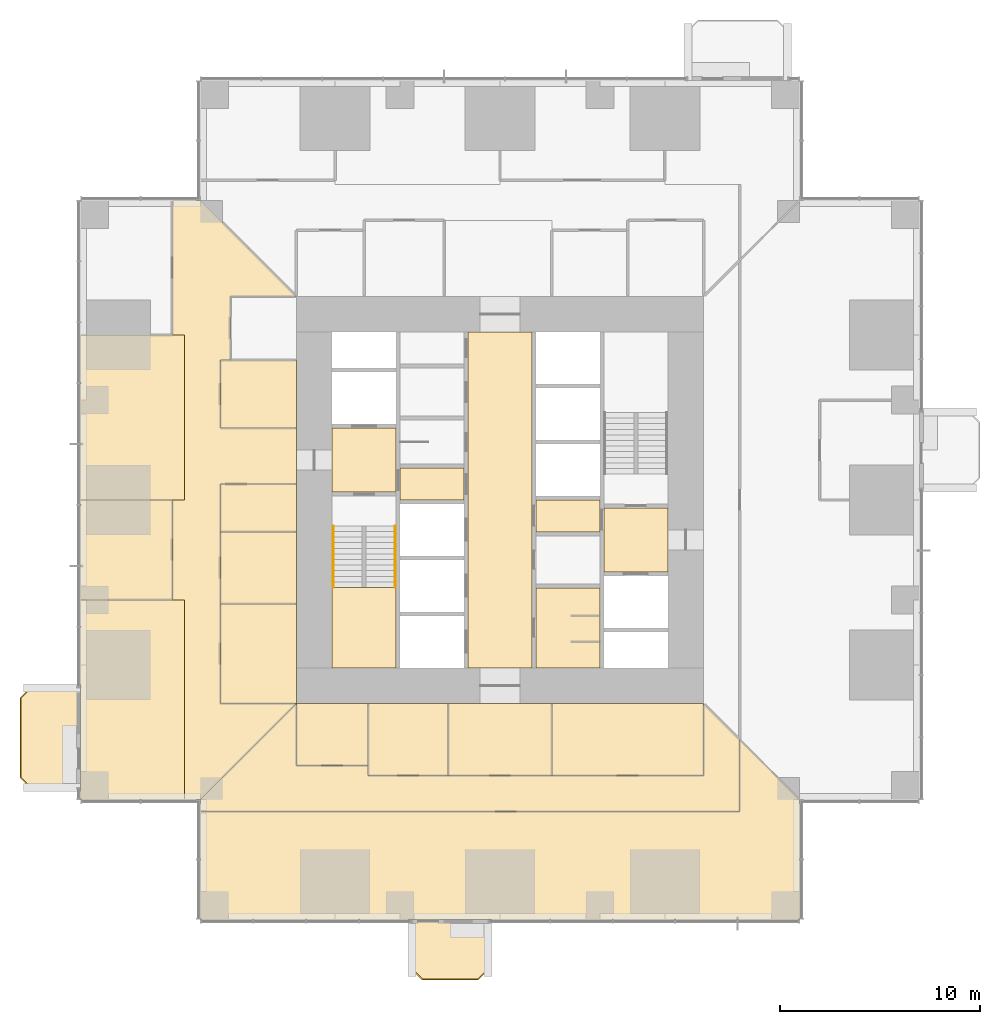
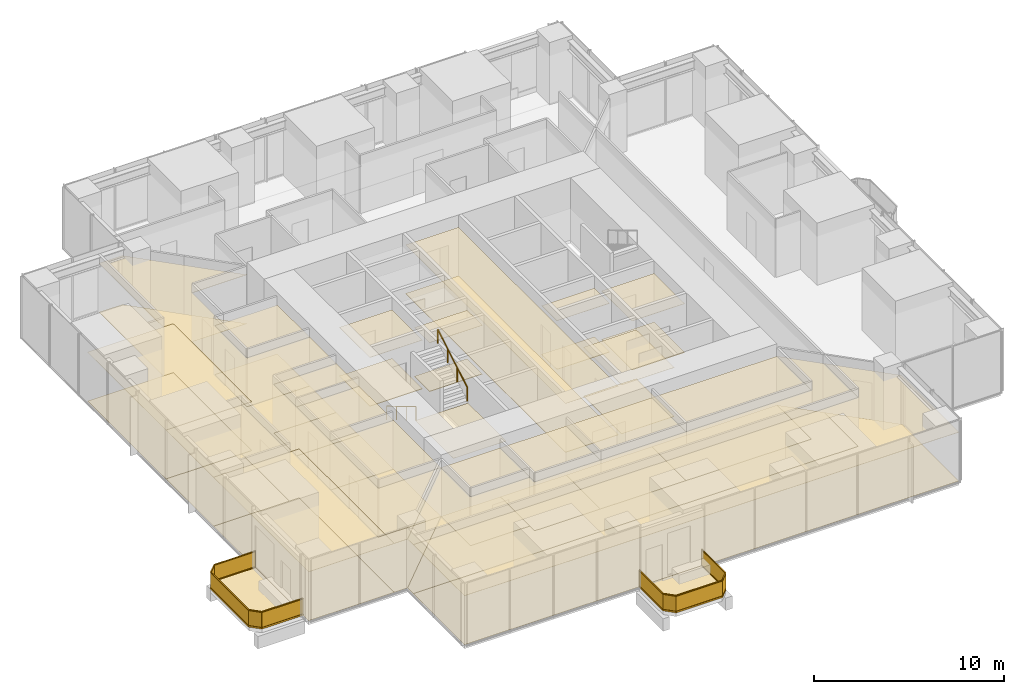
# One storey, part 15 of 17: 43 coverings, 4 railings.
"""IFC4 building model written with IfcOpenShell, lengths in metres."""

from ifc_helpers import new_model, si_unit, direction, frame, origin, origin_2d, place, context, subcontext, project, spatial, polyline, rectangle, circle, outline, extrude, material, layer, layer_set, type_object, element, save


model = new_model("IFC4")

# Units and contexts
model_context = context("Model", 3, precision=1e-05, world=origin(), true_north=direction((0.0, 1.0)))
body_context = subcontext(model_context, "Body", "Model", "MODEL_VIEW")
ifc_project = project(units=[si_unit("LENGTHUNIT", "METRE"), si_unit("AREAUNIT", "SQUARE_METRE"), si_unit("VOLUMEUNIT", "CUBIC_METRE"), si_unit("PLANEANGLEUNIT", "RADIAN"), si_unit("MASSUNIT", "GRAM", prefix="KILO")], contexts=[model_context])

# Site, building, storey
site_placement = place(None, origin())
site = spatial("IfcSite", under=ifc_project, at=site_placement, CompositionType="ELEMENT")
building_placement = place(site_placement, origin())
building = spatial("IfcBuilding", under=site, at=building_placement, Name="Svetlomir Tower", CompositionType="ELEMENT")
storey_placement = place(building_placement, frame((0.0, 0.0, 30.5)))
storey = spatial("IfcBuildingStorey", under=building, at=storey_placement, Name="L06", CompositionType="ELEMENT", Elevation=30.5)

# Railings
ifc_material_1 = material(Name="Bronze anodised aluminium and laminated glass", Category="aluminium")
railing_type_1 = type_object("IfcRailingType", Name="BALCONY GUARD GR1 1100", PredefinedType="GUARDRAIL", material=ifc_material_1)
railing_1_placement = place(storey_placement, frame((16.60009765625, 0.0, 0.0)))
element("IfcRailing", 1, at=railing_1_placement, inside=storey, type_object=railing_type_1, Name="Balcony guard S L06", PredefinedType="GUARDRAIL", context=body_context, shape_type="SweptSolid", body=[
    extrude(rectangle(XDim=0.06005859375, YDim=0.10009765625, at=origin_2d()), frame((0.0, 0.0, 0.050048828125), z_axis=(0.0, -1.0, 0.0), x_axis=(1.0, 0.0, 0.0)), (0.0, 0.0, 1.0), 2.5),
    extrude(rectangle(XDim=0.021484375, YDim=0.960205078125, at=origin_2d()), frame((0.0, 0.0, 0.580078125), z_axis=(0.0, -1.0, 0.0), x_axis=(1.0, 0.0, 0.0)), (0.0, 0.0, 1.0), 2.5),
    extrude(rectangle(XDim=0.06005859375, YDim=0.0400390625, at=origin_2d()), frame((0.0, 0.0, 1.080078125), z_axis=(0.0, -1.0, 0.0), x_axis=(1.0, 0.0, 0.0)), (0.0, 0.0, 1.0), 2.5),
    extrude(rectangle(XDim=0.06005859375, YDim=0.10009765625, at=origin_2d()), frame((0.0, -2.5, 0.050048828125), z_axis=(0.707106781187, -0.707106781187, 0.0), x_axis=(0.707106781187, 0.707106781187, 0.0)), (0.0, 0.0, 1.0), 0.70703125),
    extrude(rectangle(XDim=0.021484375, YDim=0.960205078125, at=origin_2d()), frame((0.0, -2.5, 0.580078125), z_axis=(0.707106781187, -0.707106781187, 0.0), x_axis=(0.707106781187, 0.707106781187, 0.0)), (0.0, 0.0, 1.0), 0.70703125),
    extrude(rectangle(XDim=0.06005859375, YDim=0.0400390625, at=origin_2d()), frame((0.0, -2.5, 1.080078125), z_axis=(0.707106781187, -0.707106781187, 0.0), x_axis=(0.707106781187, 0.707106781187, 0.0)), (0.0, 0.0, 1.0), 0.70703125),
    extrude(rectangle(XDim=0.06005859375, YDim=0.10009765625, at=origin_2d()), frame((0.5, -3.0, 0.050048828125), z_axis=(1.0, 0.0, 0.0), x_axis=(0.0, 1.0, 0.0)), (0.0, 0.0, 1.0), 2.7998046875),
    extrude(rectangle(XDim=0.021484375, YDim=0.960205078125, at=origin_2d()), frame((0.5, -3.0, 0.580078125), z_axis=(1.0, 0.0, 0.0), x_axis=(0.0, 1.0, 0.0)), (0.0, 0.0, 1.0), 2.7998046875),
    extrude(rectangle(XDim=0.06005859375, YDim=0.0400390625, at=origin_2d()), frame((0.5, -3.0, 1.080078125), z_axis=(1.0, 0.0, 0.0), x_axis=(0.0, 1.0, 0.0)), (0.0, 0.0, 1.0), 2.7998046875),
    extrude(rectangle(XDim=0.06005859375, YDim=0.10009765625, at=origin_2d()), frame((3.2998046875, -3.0, 0.050048828125), z_axis=(0.707106781187, 0.707106781187, 0.0), x_axis=(-0.707106781187, 0.707106781187, 0.0)), (0.0, 0.0, 1.0), 0.70703125),
    extrude(rectangle(XDim=0.021484375, YDim=0.960205078125, at=origin_2d()), frame((3.2998046875, -3.0, 0.580078125), z_axis=(0.707106781187, 0.707106781187, 0.0), x_axis=(-0.707106781187, 0.707106781187, 0.0)), (0.0, 0.0, 1.0), 0.70703125),
    extrude(rectangle(XDim=0.06005859375, YDim=0.0400390625, at=origin_2d()), frame((3.2998046875, -3.0, 1.080078125), z_axis=(0.707106781187, 0.707106781187, 0.0), x_axis=(-0.707106781187, 0.707106781187, 0.0)), (0.0, 0.0, 1.0), 0.70703125),
    extrude(rectangle(XDim=0.06005859375, YDim=0.10009765625, at=origin_2d()), frame((3.7998046875, -2.5, 0.050048828125), z_axis=(0.0, 1.0, 0.0), x_axis=(-1.0, 0.0, 0.0)), (0.0, 0.0, 1.0), 2.5),
    extrude(rectangle(XDim=0.021484375, YDim=0.960205078125, at=origin_2d()), frame((3.7998046875, -2.5, 0.580078125), z_axis=(0.0, 1.0, 0.0), x_axis=(-1.0, 0.0, 0.0)), (0.0, 0.0, 1.0), 2.5),
    extrude(rectangle(XDim=0.06005859375, YDim=0.0400390625, at=origin_2d()), frame((3.7998046875, -2.5, 1.080078125), z_axis=(0.0, 1.0, 0.0), x_axis=(-1.0, 0.0, 0.0)), (0.0, 0.0, 1.0), 2.5),
])
railing_2_placement = place(storey_placement, frame((0.0, 11.60009765625, 0.0)))
element("IfcRailing", 2, at=railing_2_placement, inside=storey, type_object=railing_type_1, Name="Balcony guard W L06", PredefinedType="GUARDRAIL", context=body_context, shape_type="SweptSolid", body=[
    extrude(rectangle(XDim=0.06005859375, YDim=0.10009765625, at=origin_2d()), frame((0.0, 0.0, 0.050048828125), z_axis=(-1.0, 0.0, 0.0), x_axis=(0.0, -1.0, 0.0)), (0.0, 0.0, 1.0), 2.5),
    extrude(rectangle(XDim=0.021484375, YDim=0.960205078125, at=origin_2d()), frame((0.0, 0.0, 0.580078125), z_axis=(-1.0, 0.0, 0.0), x_axis=(0.0, -1.0, 0.0)), (0.0, 0.0, 1.0), 2.5),
    extrude(rectangle(XDim=0.06005859375, YDim=0.0400390625, at=origin_2d()), frame((0.0, 0.0, 1.080078125), z_axis=(-1.0, 0.0, 0.0), x_axis=(0.0, -1.0, 0.0)), (0.0, 0.0, 1.0), 2.5),
    extrude(rectangle(XDim=0.06005859375, YDim=0.10009765625, at=origin_2d()), frame((-2.5, 0.0, 0.050048828125), z_axis=(-0.707106781187, -0.707106781187, 0.0), x_axis=(0.707106781187, -0.707106781187, 0.0)), (0.0, 0.0, 1.0), 0.70703125),
    extrude(rectangle(XDim=0.021484375, YDim=0.960205078125, at=origin_2d()), frame((-2.5, 0.0, 0.580078125), z_axis=(-0.707106781187, -0.707106781187, 0.0), x_axis=(0.707106781187, -0.707106781187, 0.0)), (0.0, 0.0, 1.0), 0.70703125),
    extrude(rectangle(XDim=0.06005859375, YDim=0.0400390625, at=origin_2d()), frame((-2.5, 0.0, 1.080078125), z_axis=(-0.707106781187, -0.707106781187, 0.0), x_axis=(0.707106781187, -0.707106781187, 0.0)), (0.0, 0.0, 1.0), 0.70703125),
    extrude(rectangle(XDim=0.06005859375, YDim=0.10009765625, at=origin_2d()), frame((-3.0, -0.5, 0.050048828125), z_axis=(0.0, -1.0, 0.0), x_axis=(1.0, 0.0, 0.0)), (0.0, 0.0, 1.0), 4.0),
    extrude(rectangle(XDim=0.021484375, YDim=0.960205078125, at=origin_2d()), frame((-3.0, -0.5, 0.580078125), z_axis=(0.0, -1.0, 0.0), x_axis=(1.0, 0.0, 0.0)), (0.0, 0.0, 1.0), 4.0),
    extrude(rectangle(XDim=0.06005859375, YDim=0.0400390625, at=origin_2d()), frame((-3.0, -0.5, 1.080078125), z_axis=(0.0, -1.0, 0.0), x_axis=(1.0, 0.0, 0.0)), (0.0, 0.0, 1.0), 4.0),
    extrude(rectangle(XDim=0.06005859375, YDim=0.10009765625, at=origin_2d()), frame((-3.0, -4.5, 0.050048828125), z_axis=(0.707106781187, -0.707106781187, 0.0), x_axis=(0.707106781187, 0.707106781187, 0.0)), (0.0, 0.0, 1.0), 0.70703125),
    extrude(rectangle(XDim=0.021484375, YDim=0.960205078125, at=origin_2d()), frame((-3.0, -4.5, 0.580078125), z_axis=(0.707106781187, -0.707106781187, 0.0), x_axis=(0.707106781187, 0.707106781187, 0.0)), (0.0, 0.0, 1.0), 0.70703125),
    extrude(rectangle(XDim=0.06005859375, YDim=0.0400390625, at=origin_2d()), frame((-3.0, -4.5, 1.080078125), z_axis=(0.707106781187, -0.707106781187, 0.0), x_axis=(0.707106781187, 0.707106781187, 0.0)), (0.0, 0.0, 1.0), 0.70703125),
    extrude(rectangle(XDim=0.06005859375, YDim=0.10009765625, at=origin_2d()), frame((-2.5, -5.0, 0.050048828125), z_axis=(1.0, 0.0, 0.0), x_axis=(0.0, 1.0, 0.0)), (0.0, 0.0, 1.0), 2.5),
    extrude(rectangle(XDim=0.021484375, YDim=0.960205078125, at=origin_2d()), frame((-2.5, -5.0, 0.580078125), z_axis=(1.0, 0.0, 0.0), x_axis=(0.0, 1.0, 0.0)), (0.0, 0.0, 1.0), 2.5),
    extrude(rectangle(XDim=0.06005859375, YDim=0.0400390625, at=origin_2d()), frame((-2.5, -5.0, 1.080078125), z_axis=(1.0, 0.0, 0.0), x_axis=(0.0, 1.0, 0.0)), (0.0, 0.0, 1.0), 2.5),
])

# Coverings
ifc_material_2 = material(Name="Granite paving slabs on pedestals", Category="masonry")
ifc_layer_1 = layer(ifc_material_2, 0.0400390625)
ifc_layer_set_1 = layer_set([ifc_layer_1], Name="Granite paving slabs on pedestals")
covering_type_1 = type_object("IfcCoveringType", Name="BALCONY PAVING 40", PredefinedType="USERDEFINED", material=ifc_layer_set_1)
covering_1_placement = place(storey_placement, origin())
element("IfcCovering", 3, at=covering_1_placement, inside=storey, type_object=covering_type_1, Name="Balcony paving S L06", ObjectType="BALCONY PAVING", PredefinedType="USERDEFINED", context=body_context, shape_type="SweptSolid", body=[
    extrude(outline(polyline([(16.60009765625, -2.5), (17.10009765625, -3.0), (19.89990234375, -3.0), (20.39990234375, -2.5), (20.39990234375, 0.0), (16.60009765625, 0.0), (16.60009765625, -2.5)])), origin(), (0.0, 0.0, 1.0), 0.0400390625),
])
covering_2_placement = place(storey_placement, origin())
element("IfcCovering", 4, at=covering_2_placement, inside=storey, type_object=covering_type_1, Name="Balcony paving W L06", ObjectType="BALCONY PAVING", PredefinedType="USERDEFINED", context=body_context, shape_type="SweptSolid", body=[
    extrude(outline(polyline([(-2.5, 6.60009765625), (0.0, 6.60009765625), (0.0, 11.60009765625), (-2.5, 11.60009765625), (-3.0, 11.10009765625), (-3.0, 7.10009765625), (-2.5, 6.60009765625)])), origin(), (0.0, 0.0, 1.0), 0.0400390625),
])
ifc_material_3 = material(Name="Carpet tile", Category="textile")
ifc_layer_2 = layer(ifc_material_3, 0.010009765625)
ifc_layer_set_2 = layer_set([ifc_layer_2], Name="Carpet tile")
covering_type_2 = type_object("IfcCoveringType", Name="CARPET TILE FLOOR 10", PredefinedType="FLOORING", material=ifc_layer_set_2)
covering_3_placement = place(storey_placement, origin())
element("IfcCovering", 5, at=covering_3_placement, inside=storey, type_object=covering_type_2, Name="Floor finish L06-13", PredefinedType="FLOORING", context=body_context, shape_type="SweptSolid", body=[
    extrude(outline(polyline([(10.800048828125, 7.699951171875), (14.39990234375, 7.699951171875), (14.39990234375, 10.800048828125), (10.800048828125, 10.800048828125), (10.800048828125, 7.699951171875)])), origin(), (0.0, 0.0, 1.0), 0.010009765625),
])
covering_4_placement = place(storey_placement, origin())
element("IfcCovering", 6, at=covering_4_placement, inside=storey, type_object=covering_type_2, Name="Floor finish L06-14", PredefinedType="FLOORING", context=body_context, shape_type="SweptSolid", body=[
    extrude(outline(polyline([(14.39990234375, 7.199951171875), (18.39990234375, 7.199951171875), (18.39990234375, 10.800048828125), (14.39990234375, 10.800048828125), (14.39990234375, 7.199951171875)])), origin(), (0.0, 0.0, 1.0), 0.010009765625),
])
covering_5_placement = place(storey_placement, origin())
element("IfcCovering", 7, at=covering_5_placement, inside=storey, type_object=covering_type_2, Name="Floor finish L06-15", PredefinedType="FLOORING", context=body_context, shape_type="SweptSolid", body=[
    extrude(outline(polyline([(23.60009765625, 7.199951171875), (31.199951171875, 7.199951171875), (31.199951171875, 10.800048828125), (23.60009765625, 10.800048828125), (23.60009765625, 7.199951171875)])), origin(), (0.0, 0.0, 1.0), 0.010009765625),
])
covering_6_placement = place(storey_placement, origin())
element("IfcCovering", 8, at=covering_6_placement, inside=storey, type_object=covering_type_2, Name="Floor finish L06-23", PredefinedType="FLOORING", context=body_context, shape_type="SweptSolid", body=[
    extrude(outline(polyline([(7.0, 10.800048828125), (10.800048828125, 10.800048828125), (10.800048828125, 15.800048828125), (7.0, 15.800048828125), (7.0, 10.800048828125)])), origin(), (0.0, 0.0, 1.0), 0.010009765625),
])
covering_7_placement = place(storey_placement, origin())
element("IfcCovering", 9, at=covering_7_placement, inside=storey, type_object=covering_type_2, Name="Floor finish L06-24", PredefinedType="FLOORING", context=body_context, shape_type="SweptSolid", body=[
    extrude(outline(polyline([(7.0, 15.800048828125), (10.800048828125, 15.800048828125), (10.800048828125, 19.39990234375), (7.0, 19.39990234375), (7.0, 15.800048828125)])), origin(), (0.0, 0.0, 1.0), 0.010009765625),
])
covering_8_placement = place(storey_placement, origin())
element("IfcCovering", 10, at=covering_8_placement, inside=storey, type_object=covering_type_2, Name="Floor finish L06-25", PredefinedType="FLOORING", context=body_context, shape_type="SweptSolid", body=[
    extrude(outline(polyline([(7.0, 24.60009765625), (10.800048828125, 24.60009765625), (10.800048828125, 28.0), (7.0, 28.0), (7.0, 24.60009765625)])), origin(), (0.0, 0.0, 1.0), 0.010009765625),
])
covering_9_placement = place(storey_placement, origin())
element("IfcCovering", 11, at=covering_9_placement, inside=storey, type_object=covering_type_2, Name="Floor finish L06-27", PredefinedType="FLOORING", context=body_context, shape_type="SweptSolid", body=[
    extrude(outline(polyline([(0.0, 16.0), (4.60009765625, 16.0), (4.60009765625, 21.0), (0.0, 21.0), (0.0, 16.0)])), origin(), (0.0, 0.0, 1.0), 0.010009765625),
])
covering_10_placement = place(storey_placement, origin())
element("IfcCovering", 12, at=covering_10_placement, inside=storey, type_object=covering_type_2, Name="Floor finish L06-29", PredefinedType="FLOORING", context=body_context, shape_type="SweptSolid", body=[
    extrude(outline(polyline([(33.0, 5.39990234375), (6.0, 5.39990234375), (6.0, 6.0), (10.800048828125, 10.800048828125), (10.800048828125, 7.699951171875), (14.39990234375, 7.699951171875), (14.39990234375, 7.199951171875), (31.199951171875, 7.199951171875), (31.199951171875, 10.800048828125), (33.0, 9.0), (33.0, 5.39990234375)])), origin(), (0.0, 0.0, 1.0), 0.010009765625),
])
covering_11_placement = place(storey_placement, origin())
element("IfcCovering", 13, at=covering_11_placement, inside=storey, type_object=covering_type_2, Name="Floor finish L06-32", PredefinedType="FLOORING", context=body_context, shape_type="SweptSolid", body=[
    extrude(outline(polyline([(5.199951171875, 21.0), (5.199951171875, 29.25), (4.60009765625, 29.25), (4.60009765625, 36.0), (6.0, 36.0), (10.800048828125, 31.199951171875), (7.5, 31.199951171875), (7.5, 28.0), (7.0, 28.0), (7.0, 24.60009765625), (10.800048828125, 24.60009765625), (10.800048828125, 21.800048828125), (7.0, 21.800048828125), (7.0, 10.800048828125), (10.800048828125, 10.800048828125), (6.0, 6.0), (5.199951171875, 6.0), (5.199951171875, 16.0), (4.60009765625, 16.0), (4.60009765625, 21.0), (5.199951171875, 21.0)])), origin(), (0.0, 0.0, 1.0), 0.010009765625),
])
covering_12_placement = place(storey_placement, origin())
element("IfcCovering", 14, at=covering_12_placement, inside=storey, type_object=covering_type_2, Name="Floor finish L06-33", PredefinedType="FLOORING", context=body_context, shape_type="SweptSolid", body=[
    extrude(outline(polyline([(36.0, 0.0), (6.0, 0.0), (6.0, 5.39990234375), (33.0, 5.39990234375), (33.0, 9.0), (36.0, 6.0), (36.0, 0.0)])), origin(), (0.0, 0.0, 1.0), 0.010009765625),
])
covering_13_placement = place(storey_placement, origin())
element("IfcCovering", 15, at=covering_13_placement, inside=storey, type_object=covering_type_2, Name="Floor finish L06-34", PredefinedType="FLOORING", context=body_context, shape_type="SweptSolid", body=[
    extrude(outline(polyline([(23.60009765625, 10.800048828125), (23.60009765625, 7.199951171875), (18.39990234375, 7.199951171875), (18.39990234375, 10.800048828125), (23.60009765625, 10.800048828125)])), origin(), (0.0, 0.0, 1.0), 0.010009765625),
])
covering_14_placement = place(storey_placement, origin())
element("IfcCovering", 16, at=covering_14_placement, inside=storey, type_object=covering_type_2, Name="Floor finish L06-39", PredefinedType="FLOORING", context=body_context, shape_type="SweptSolid", body=[
    extrude(outline(polyline([(0.0, 16.0), (5.199951171875, 16.0), (5.199951171875, 6.0), (0.0, 6.0), (0.0, 16.0)])), origin(), (0.0, 0.0, 1.0), 0.010009765625),
])
covering_15_placement = place(storey_placement, origin())
element("IfcCovering", 17, at=covering_15_placement, inside=storey, type_object=covering_type_2, Name="Floor finish L06-40", PredefinedType="FLOORING", context=body_context, shape_type="SweptSolid", body=[
    extrude(outline(polyline([(0.0, 29.25), (5.199951171875, 29.25), (5.199951171875, 21.0), (0.0, 21.0), (0.0, 29.25)])), origin(), (0.0, 0.0, 1.0), 0.010009765625),
])
covering_16_placement = place(storey_placement, origin())
element("IfcCovering", 18, at=covering_16_placement, inside=storey, type_object=covering_type_2, Name="Floor finish L06-41", PredefinedType="FLOORING", context=body_context, shape_type="SweptSolid", body=[
    extrude(outline(polyline([(7.0, 19.39990234375), (7.0, 21.800048828125), (10.800048828125, 21.800048828125), (10.800048828125, 19.39990234375), (7.0, 19.39990234375)])), origin(), (0.0, 0.0, 1.0), 0.010009765625),
])
ifc_material_4 = material(Name="Ceramic floor tile", Category="ceramic")
ifc_layer_3 = layer(ifc_material_4, 0.014892578125)
ifc_layer_set_3 = layer_set([ifc_layer_3], Name="Ceramic floor tile")
covering_type_3 = type_object("IfcCoveringType", Name="CERAMIC TILE FLOOR 15", PredefinedType="FLOORING", material=ifc_layer_set_3)
covering_17_placement = place(storey_placement, origin())
element("IfcCovering", 19, at=covering_17_placement, inside=storey, type_object=covering_type_3, Name="Floor finish L06-08", PredefinedType="FLOORING", context=body_context, shape_type="SweptSolid", body=[
    extrude(outline(polyline([(22.800048828125, 12.60009765625), (26.0, 12.60009765625), (26.0, 16.60009765625), (22.800048828125, 16.60009765625), (22.800048828125, 12.60009765625)])), origin(), (0.0, 0.0, 1.0), 0.014892578125),
])

# Railings
ifc_material_5 = material(Name="Stainless steel", Category="steel")
railing_type_2 = type_object("IfcRailingType", Name="HANDRAIL HR1 900", PredefinedType="HANDRAIL", material=ifc_material_5)
railing_3_placement = place(storey_placement, frame((12.64990234375, 19.699951171875, 0.166748046875)))
element("IfcRailing", 20, at=railing_3_placement, inside=storey, type_object=railing_type_2, Name="Handrail S1 flight 1 L06", PredefinedType="HANDRAIL", context=body_context, shape_type="SweptSolid", body=[
    extrude(circle(Radius=0.02392578125, at=origin_2d()), frame((0.0, 0.0, 0.8759765625), z_axis=(0.0, -0.859290745958, 0.51148745235), x_axis=(1.0, 0.0, 0.0)), (0.0, 0.0, 1.0), 3.584228515625),
    extrude(circle(Radius=0.02099609375, at=origin_2d()), origin(), (0.0, 0.0, 1.0), 0.851806640625),
    extrude(circle(Radius=0.02099609375, at=origin_2d()), frame((0.0, -1.026611328125, 0.611083984375)), (0.0, 0.0, 1.0), 0.851806640625),
    extrude(circle(Radius=0.02099609375, at=origin_2d()), frame((0.0, -2.05322265625, 1.22216796875)), (0.0, 0.0, 1.0), 0.851806640625),
    extrude(circle(Radius=0.02099609375, at=origin_2d()), frame((0.0, -3.079833984375, 1.833251953125)), (0.0, 0.0, 1.0), 0.851806640625),
])
railing_4_placement = place(storey_placement, frame((15.75, 16.6201171875, 2.166748046875)))
element("IfcRailing", 21, at=railing_4_placement, inside=storey, type_object=railing_type_2, Name="Handrail S1 flight 2 L06", PredefinedType="HANDRAIL", context=body_context, shape_type="SweptSolid", body=[
    extrude(circle(Radius=0.02392578125, at=origin_2d()), frame((0.0, 0.0, 0.8759765625), z_axis=(0.0, 0.859290745958, 0.51148745235), x_axis=(-1.0, 0.0, 0.0)), (0.0, 0.0, 1.0), 3.584228515625),
    extrude(circle(Radius=0.02099609375, at=origin_2d()), origin(), (0.0, 0.0, 1.0), 0.851806640625),
    extrude(circle(Radius=0.02099609375, at=origin_2d()), frame((0.0, 1.026611328125, 0.611083984375)), (0.0, 0.0, 1.0), 0.851806640625),
    extrude(circle(Radius=0.02099609375, at=origin_2d()), frame((0.0, 2.05322265625, 1.22216796875)), (0.0, 0.0, 1.0), 0.851806640625),
    extrude(circle(Radius=0.02099609375, at=origin_2d()), frame((0.0, 3.079833984375, 1.833251953125)), (0.0, 0.0, 1.0), 0.851806640625),
])

# Coverings
ifc_material_6 = material(Name="Moisture resistant plasterboard ceiling", Category="gypsum")
ifc_layer_4 = layer(ifc_material_6, 0.012451171875)
ifc_layer_set_4 = layer_set([ifc_layer_4], Name="Moisture resistant plasterboard ceiling")
covering_type_4 = type_object("IfcCoveringType", Name="MOISTURE RESISTANT CEILING 12.5", PredefinedType="CEILING", material=ifc_layer_set_4)
covering_18_placement = place(storey_placement, frame((0.0, 0.0, 3.137451171875)))
element("IfcCovering", 22, at=covering_18_placement, inside=storey, type_object=covering_type_4, Name="Ceiling L06-08", PredefinedType="CEILING", context=body_context, shape_type="SweptSolid", body=[
    extrude(outline(polyline([(22.800048828125, 12.60009765625), (26.0, 12.60009765625), (26.0, 16.60009765625), (22.800048828125, 16.60009765625), (22.800048828125, 12.60009765625)])), origin(), (0.0, 0.0, 1.0), 0.012451171875),
])
ifc_material_7 = material(Name="Gypsum plasterboard ceiling", Category="gypsum")
ifc_layer_5 = layer(ifc_material_7, 0.014892578125)
ifc_layer_set_5 = layer_set([ifc_layer_5], Name="Gypsum plasterboard ceiling")
covering_type_5 = type_object("IfcCoveringType", Name="PLASTERBOARD CEILING 15", PredefinedType="CEILING", material=ifc_layer_set_5)
covering_19_placement = place(storey_placement, frame((0.0, 0.0, 3.135009765625)))
element("IfcCovering", 23, at=covering_19_placement, inside=storey, type_object=covering_type_5, Name="Ceiling L06-02", PredefinedType="CEILING", context=body_context, shape_type="SweptSolid", body=[
    extrude(outline(polyline([(12.60009765625, 21.39990234375), (15.800048828125, 21.39990234375), (15.800048828125, 24.60009765625), (12.60009765625, 24.60009765625), (12.60009765625, 21.39990234375)])), origin(), (0.0, 0.0, 1.0), 0.014892578125),
])
covering_20_placement = place(storey_placement, frame((0.0, 0.0, 3.135009765625)))
element("IfcCovering", 24, at=covering_20_placement, inside=storey, type_object=covering_type_5, Name="Ceiling L06-03", PredefinedType="CEILING", context=body_context, shape_type="SweptSolid", body=[
    extrude(outline(polyline([(16.0, 21.0), (19.199951171875, 21.0), (19.199951171875, 22.60009765625), (16.0, 22.60009765625), (16.0, 21.0)])), origin(), (0.0, 0.0, 1.0), 0.014892578125),
])
covering_21_placement = place(storey_placement, frame((0.0, 0.0, 3.135009765625)))
element("IfcCovering", 25, at=covering_21_placement, inside=storey, type_object=covering_type_5, Name="Ceiling L06-07", PredefinedType="CEILING", context=body_context, shape_type="SweptSolid", body=[
    extrude(outline(polyline([(19.39990234375, 12.60009765625), (22.60009765625, 12.60009765625), (22.60009765625, 29.39990234375), (19.39990234375, 29.39990234375), (19.39990234375, 12.60009765625)])), origin(), (0.0, 0.0, 1.0), 0.014892578125),
])
covering_22_placement = place(storey_placement, frame((0.0, 0.0, 3.135009765625)))
element("IfcCovering", 26, at=covering_22_placement, inside=storey, type_object=covering_type_5, Name="Ceiling L06-10", PredefinedType="CEILING", context=body_context, shape_type="SweptSolid", body=[
    extrude(outline(polyline([(22.800048828125, 19.39990234375), (26.0, 19.39990234375), (26.0, 21.0), (22.800048828125, 21.0), (22.800048828125, 19.39990234375)])), origin(), (0.0, 0.0, 1.0), 0.014892578125),
])
covering_23_placement = place(storey_placement, frame((0.0, 0.0, 3.135009765625)))
element("IfcCovering", 27, at=covering_23_placement, inside=storey, type_object=covering_type_5, Name="Ceiling L06-11", PredefinedType="CEILING", context=body_context, shape_type="SweptSolid", body=[
    extrude(outline(polyline([(26.199951171875, 17.39990234375), (29.39990234375, 17.39990234375), (29.39990234375, 20.60009765625), (26.199951171875, 20.60009765625), (26.199951171875, 17.39990234375)])), origin(), (0.0, 0.0, 1.0), 0.014892578125),
])
ifc_material_8 = material(Name="Studded rubber floor finish", Category="rubber")
ifc_layer_6 = layer(ifc_material_8, 0.006103515625)
ifc_layer_set_6 = layer_set([ifc_layer_6], Name="Studded rubber floor finish")
covering_type_6 = type_object("IfcCoveringType", Name="RUBBER LANDING FINISH 6", PredefinedType="FLOORING", material=ifc_layer_set_6)
covering_24_placement = place(storey_placement, frame((0.0, 0.0, 2.0)))
element("IfcCovering", 28, at=covering_24_placement, inside=storey, type_object=covering_type_6, Name="Stair S1 landing finish L06", PredefinedType="FLOORING", context=body_context, shape_type="SweptSolid", body=[
    extrude(outline(polyline([(12.60009765625, 12.60009765625), (15.800048828125, 12.60009765625), (15.800048828125, 16.6201171875), (12.60009765625, 16.6201171875), (12.60009765625, 12.60009765625)])), origin(), (0.0, 0.0, 1.0), 0.006103515625),
])
ifc_material_9 = material(Name="Mineral fibre ceiling tile", Category="mineral")
ifc_layer_7 = layer(ifc_material_9, 0.02001953125)
ifc_layer_set_7 = layer_set([ifc_layer_7], Name="Mineral fibre ceiling tile")
covering_type_7 = type_object("IfcCoveringType", Name="SUSPENDED CEILING 20", PredefinedType="CEILING", material=ifc_layer_set_7)
covering_25_placement = place(storey_placement, frame((0.0, 0.0, 3.1298828125)))
element("IfcCovering", 29, at=covering_25_placement, inside=storey, type_object=covering_type_7, Name="Ceiling L06-13", PredefinedType="CEILING", context=body_context, shape_type="SweptSolid", body=[
    extrude(outline(polyline([(10.800048828125, 7.699951171875), (14.39990234375, 7.699951171875), (14.39990234375, 10.800048828125), (10.800048828125, 10.800048828125), (10.800048828125, 7.699951171875)])), origin(), (0.0, 0.0, 1.0), 0.02001953125),
])
covering_26_placement = place(storey_placement, frame((0.0, 0.0, 3.1298828125)))
element("IfcCovering", 30, at=covering_26_placement, inside=storey, type_object=covering_type_7, Name="Ceiling L06-14", PredefinedType="CEILING", context=body_context, shape_type="SweptSolid", body=[
    extrude(outline(polyline([(14.39990234375, 7.199951171875), (18.39990234375, 7.199951171875), (18.39990234375, 10.800048828125), (14.39990234375, 10.800048828125), (14.39990234375, 7.199951171875)])), origin(), (0.0, 0.0, 1.0), 0.02001953125),
])
covering_27_placement = place(storey_placement, frame((0.0, 0.0, 3.1298828125)))
element("IfcCovering", 31, at=covering_27_placement, inside=storey, type_object=covering_type_7, Name="Ceiling L06-15", PredefinedType="CEILING", context=body_context, shape_type="SweptSolid", body=[
    extrude(outline(polyline([(23.60009765625, 7.199951171875), (31.199951171875, 7.199951171875), (31.199951171875, 10.800048828125), (23.60009765625, 10.800048828125), (23.60009765625, 7.199951171875)])), origin(), (0.0, 0.0, 1.0), 0.02001953125),
])
covering_28_placement = place(storey_placement, frame((0.0, 0.0, 3.1298828125)))
element("IfcCovering", 32, at=covering_28_placement, inside=storey, type_object=covering_type_7, Name="Ceiling L06-23", PredefinedType="CEILING", context=body_context, shape_type="SweptSolid", body=[
    extrude(outline(polyline([(7.0, 10.800048828125), (10.800048828125, 10.800048828125), (10.800048828125, 15.800048828125), (7.0, 15.800048828125), (7.0, 10.800048828125)])), origin(), (0.0, 0.0, 1.0), 0.02001953125),
])
covering_29_placement = place(storey_placement, frame((0.0, 0.0, 3.1298828125)))
element("IfcCovering", 33, at=covering_29_placement, inside=storey, type_object=covering_type_7, Name="Ceiling L06-24", PredefinedType="CEILING", context=body_context, shape_type="SweptSolid", body=[
    extrude(outline(polyline([(7.0, 15.800048828125), (10.800048828125, 15.800048828125), (10.800048828125, 19.39990234375), (7.0, 19.39990234375), (7.0, 15.800048828125)])), origin(), (0.0, 0.0, 1.0), 0.02001953125),
])
covering_30_placement = place(storey_placement, frame((0.0, 0.0, 3.1298828125)))
element("IfcCovering", 34, at=covering_30_placement, inside=storey, type_object=covering_type_7, Name="Ceiling L06-25", PredefinedType="CEILING", context=body_context, shape_type="SweptSolid", body=[
    extrude(outline(polyline([(7.0, 24.60009765625), (10.800048828125, 24.60009765625), (10.800048828125, 28.0), (7.0, 28.0), (7.0, 24.60009765625)])), origin(), (0.0, 0.0, 1.0), 0.02001953125),
])
covering_31_placement = place(storey_placement, frame((0.0, 0.0, 3.1298828125)))
element("IfcCovering", 35, at=covering_31_placement, inside=storey, type_object=covering_type_7, Name="Ceiling L06-27", PredefinedType="CEILING", context=body_context, shape_type="SweptSolid", body=[
    extrude(outline(polyline([(0.0, 16.0), (4.60009765625, 16.0), (4.60009765625, 21.0), (0.0, 21.0), (0.0, 16.0)])), origin(), (0.0, 0.0, 1.0), 0.02001953125),
])
covering_32_placement = place(storey_placement, frame((0.0, 0.0, 3.1298828125)))
element("IfcCovering", 36, at=covering_32_placement, inside=storey, type_object=covering_type_7, Name="Ceiling L06-29", PredefinedType="CEILING", context=body_context, shape_type="SweptSolid", body=[
    extrude(outline(polyline([(33.0, 5.39990234375), (6.0, 5.39990234375), (6.0, 6.0), (10.800048828125, 10.800048828125), (10.800048828125, 7.699951171875), (14.39990234375, 7.699951171875), (14.39990234375, 7.199951171875), (31.199951171875, 7.199951171875), (31.199951171875, 10.800048828125), (33.0, 9.0), (33.0, 5.39990234375)])), origin(), (0.0, 0.0, 1.0), 0.02001953125),
])
covering_33_placement = place(storey_placement, frame((0.0, 0.0, 3.1298828125)))
element("IfcCovering", 37, at=covering_33_placement, inside=storey, type_object=covering_type_7, Name="Ceiling L06-32", PredefinedType="CEILING", context=body_context, shape_type="SweptSolid", body=[
    extrude(outline(polyline([(5.199951171875, 21.0), (5.199951171875, 29.25), (4.60009765625, 29.25), (4.60009765625, 36.0), (6.0, 36.0), (10.800048828125, 31.199951171875), (7.5, 31.199951171875), (7.5, 28.0), (7.0, 28.0), (7.0, 24.60009765625), (10.800048828125, 24.60009765625), (10.800048828125, 21.800048828125), (7.0, 21.800048828125), (7.0, 10.800048828125), (10.800048828125, 10.800048828125), (6.0, 6.0), (5.199951171875, 6.0), (5.199951171875, 16.0), (4.60009765625, 16.0), (4.60009765625, 21.0), (5.199951171875, 21.0)])), origin(), (0.0, 0.0, 1.0), 0.02001953125),
])
covering_34_placement = place(storey_placement, frame((0.0, 0.0, 3.1298828125)))
element("IfcCovering", 38, at=covering_34_placement, inside=storey, type_object=covering_type_7, Name="Ceiling L06-33", PredefinedType="CEILING", context=body_context, shape_type="SweptSolid", body=[
    extrude(outline(polyline([(36.0, 0.0), (6.0, 0.0), (6.0, 5.39990234375), (33.0, 5.39990234375), (33.0, 9.0), (36.0, 6.0), (36.0, 0.0)])), origin(), (0.0, 0.0, 1.0), 0.02001953125),
])
covering_35_placement = place(storey_placement, frame((0.0, 0.0, 3.1298828125)))
element("IfcCovering", 39, at=covering_35_placement, inside=storey, type_object=covering_type_7, Name="Ceiling L06-34", PredefinedType="CEILING", context=body_context, shape_type="SweptSolid", body=[
    extrude(outline(polyline([(23.60009765625, 10.800048828125), (23.60009765625, 7.199951171875), (18.39990234375, 7.199951171875), (18.39990234375, 10.800048828125), (23.60009765625, 10.800048828125)])), origin(), (0.0, 0.0, 1.0), 0.02001953125),
])
covering_36_placement = place(storey_placement, frame((0.0, 0.0, 3.1298828125)))
element("IfcCovering", 40, at=covering_36_placement, inside=storey, type_object=covering_type_7, Name="Ceiling L06-39", PredefinedType="CEILING", context=body_context, shape_type="SweptSolid", body=[
    extrude(outline(polyline([(0.0, 16.0), (5.199951171875, 16.0), (5.199951171875, 6.0), (0.0, 6.0), (0.0, 16.0)])), origin(), (0.0, 0.0, 1.0), 0.02001953125),
])
covering_37_placement = place(storey_placement, frame((0.0, 0.0, 3.1298828125)))
element("IfcCovering", 41, at=covering_37_placement, inside=storey, type_object=covering_type_7, Name="Ceiling L06-40", PredefinedType="CEILING", context=body_context, shape_type="SweptSolid", body=[
    extrude(outline(polyline([(0.0, 29.25), (5.199951171875, 29.25), (5.199951171875, 21.0), (0.0, 21.0), (0.0, 29.25)])), origin(), (0.0, 0.0, 1.0), 0.02001953125),
])
covering_38_placement = place(storey_placement, frame((0.0, 0.0, 3.1298828125)))
element("IfcCovering", 42, at=covering_38_placement, inside=storey, type_object=covering_type_7, Name="Ceiling L06-41", PredefinedType="CEILING", context=body_context, shape_type="SweptSolid", body=[
    extrude(outline(polyline([(7.0, 19.39990234375), (7.0, 21.800048828125), (10.800048828125, 21.800048828125), (10.800048828125, 19.39990234375), (7.0, 19.39990234375)])), origin(), (0.0, 0.0, 1.0), 0.02001953125),
])
ifc_material_10 = material(Name="Bronze-aggregate terrazzo", Category="stone")
ifc_layer_8 = layer(ifc_material_10, 0.030029296875)
ifc_layer_set_8 = layer_set([ifc_layer_8], Name="Bronze-aggregate terrazzo")
covering_type_8 = type_object("IfcCoveringType", Name="TERRAZZO FLOOR 30", PredefinedType="FLOORING", material=ifc_layer_set_8)
covering_39_placement = place(storey_placement, origin())
element("IfcCovering", 43, at=covering_39_placement, inside=storey, type_object=covering_type_8, Name="Floor finish L06-02", PredefinedType="FLOORING", context=body_context, shape_type="SweptSolid", body=[
    extrude(outline(polyline([(12.60009765625, 21.39990234375), (15.800048828125, 21.39990234375), (15.800048828125, 24.60009765625), (12.60009765625, 24.60009765625), (12.60009765625, 21.39990234375)])), origin(), (0.0, 0.0, 1.0), 0.030029296875),
])
covering_40_placement = place(storey_placement, origin())
element("IfcCovering", 44, at=covering_40_placement, inside=storey, type_object=covering_type_8, Name="Floor finish L06-03", PredefinedType="FLOORING", context=body_context, shape_type="SweptSolid", body=[
    extrude(outline(polyline([(16.0, 21.0), (19.199951171875, 21.0), (19.199951171875, 22.60009765625), (16.0, 22.60009765625), (16.0, 21.0)])), origin(), (0.0, 0.0, 1.0), 0.030029296875),
])
covering_41_placement = place(storey_placement, origin())
element("IfcCovering", 45, at=covering_41_placement, inside=storey, type_object=covering_type_8, Name="Floor finish L06-07", PredefinedType="FLOORING", context=body_context, shape_type="SweptSolid", body=[
    extrude(outline(polyline([(19.39990234375, 12.60009765625), (22.60009765625, 12.60009765625), (22.60009765625, 29.39990234375), (19.39990234375, 29.39990234375), (19.39990234375, 12.60009765625)])), origin(), (0.0, 0.0, 1.0), 0.030029296875),
])
covering_42_placement = place(storey_placement, origin())
element("IfcCovering", 46, at=covering_42_placement, inside=storey, type_object=covering_type_8, Name="Floor finish L06-10", PredefinedType="FLOORING", context=body_context, shape_type="SweptSolid", body=[
    extrude(outline(polyline([(22.800048828125, 19.39990234375), (26.0, 19.39990234375), (26.0, 21.0), (22.800048828125, 21.0), (22.800048828125, 19.39990234375)])), origin(), (0.0, 0.0, 1.0), 0.030029296875),
])
covering_43_placement = place(storey_placement, origin())
element("IfcCovering", 47, at=covering_43_placement, inside=storey, type_object=covering_type_8, Name="Floor finish L06-11", PredefinedType="FLOORING", context=body_context, shape_type="SweptSolid", body=[
    extrude(outline(polyline([(26.199951171875, 17.39990234375), (29.39990234375, 17.39990234375), (29.39990234375, 20.60009765625), (26.199951171875, 20.60009765625), (26.199951171875, 17.39990234375)])), origin(), (0.0, 0.0, 1.0), 0.030029296875),
])

save(model, "model.ifc")
